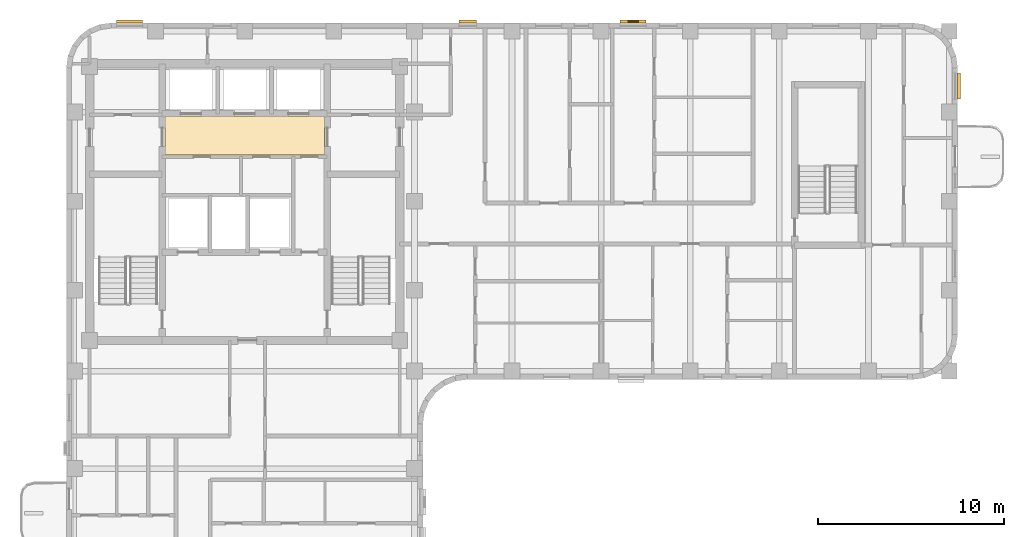
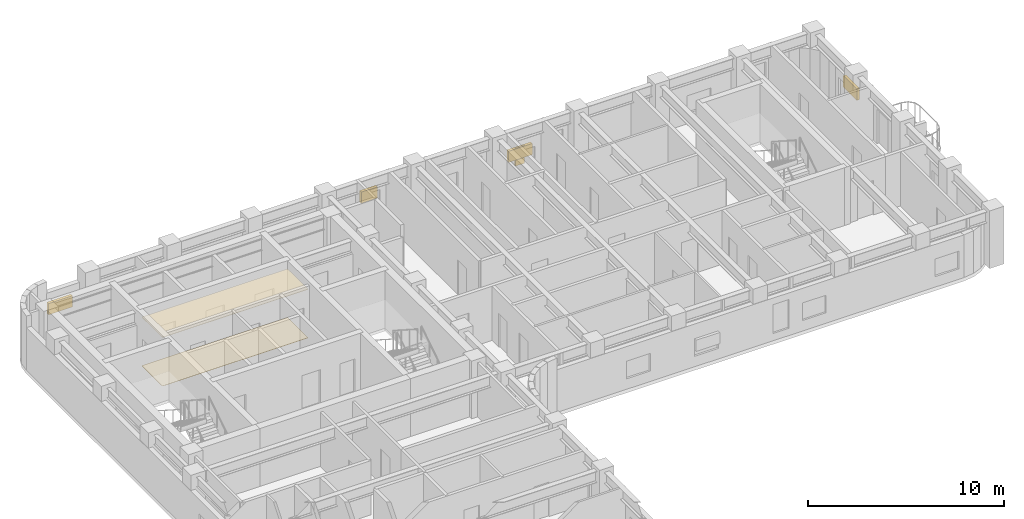
# One storey, part 10 of 10: 5 shading devices, 2 coverings.
"""IFC4 building model written with IfcOpenShell, lengths in metres."""

from ifc_helpers import new_model, si_unit, direction, frame, origin, origin_2d, place, context, subcontext, project, spatial, polyline, rectangle, outline, extrude, material, layer, layer_set, type_object, element, save


model = new_model("IFC4")

# Units and contexts
model_context = context("Model", 3, precision=1e-05, world=origin(), true_north=direction((0.0, 1.0)))
body_context = subcontext(model_context, "Body", "Model", "MODEL_VIEW")
ifc_project = project(units=[si_unit("LENGTHUNIT", "METRE"), si_unit("AREAUNIT", "SQUARE_METRE"), si_unit("VOLUMEUNIT", "CUBIC_METRE"), si_unit("PLANEANGLEUNIT", "RADIAN"), si_unit("MASSUNIT", "GRAM", prefix="KILO")], contexts=[model_context])

# Site, building, storey
site_placement = place(None, origin())
site = spatial("IfcSite", under=ifc_project, at=site_placement, CompositionType="ELEMENT")
building_placement = place(site_placement, origin())
building = spatial("IfcBuilding", under=site, at=building_placement, Name="Orvandelia Arch Residences", CompositionType="ELEMENT")
storey_placement = place(building_placement, frame((0.0, 0.0, 221.800048828125)))
storey = spatial("IfcBuildingStorey", under=building, at=storey_placement, Name="L58", CompositionType="ELEMENT", Elevation=221.800048828125)

# Coverings
ifc_material_1 = material(Name="Perforated Acoustic Mineral-Fibre Ceiling")
ifc_layer_1 = layer(ifc_material_1, 0.02490234375, Name="Perforated Acoustic Mineral-Fibre Ceiling")
ifc_layer_set_1 = layer_set([ifc_layer_1], Name="Perforated Acoustic Mineral-Fibre Ceiling")
covering_type_1 = type_object("IfcCoveringType", Name="COV-CEIL-ACOUSTIC", PredefinedType="CEILING", material=ifc_layer_set_1)
covering_1_placement = place(storey_placement, frame((0.0, 0.0, 3.030029296875)))
element("IfcCovering", 1, at=covering_1_placement, inside=storey, type_object=covering_type_1, Name="Lift Hall Suspended Acoustic Ceiling L58", PredefinedType="CEILING", context=body_context, shape_type="SweptSolid", body=[
    extrude(outline(polyline([(10.10009765625, 40.8798828125), (18.699951171875, 40.8798828125), (18.699951171875, 42.97998046875), (10.10009765625, 42.97998046875), (10.10009765625, 40.8798828125)])), origin(), (0.0, 0.0, 1.0), 0.02490234375),
])
ifc_material_2 = material(Name="Engineered Oak Flooring")
ifc_layer_2 = layer(ifc_material_2, 0.02001953125, Name="Engineered Oak Flooring")
ifc_layer_set_2 = layer_set([ifc_layer_2], Name="Engineered Oak Flooring")
covering_type_2 = type_object("IfcCoveringType", Name="COV-FLOOR-TIMBER", PredefinedType="FLOORING", material=ifc_layer_set_2)
covering_2_placement = place(storey_placement, origin())
element("IfcCovering", 2, at=covering_2_placement, inside=storey, type_object=covering_type_2, Name="Lift Hall Finish Flooring L58", PredefinedType="FLOORING", context=body_context, shape_type="SweptSolid", body=[
    extrude(outline(polyline([(10.10009765625, 40.8798828125), (18.699951171875, 40.8798828125), (18.699951171875, 42.97998046875), (10.10009765625, 42.97998046875), (10.10009765625, 40.8798828125)])), origin(), (0.0, 0.0, 1.0), 0.02001953125),
])

# Shading devices
ifc_material_3 = material(Name="Anodised Champagne-Bronze Extruded Aluminium", Category="aluminium")
shading_device_type_1 = type_object("IfcShadingDeviceType", Name="SHD-JALOUSIE-SCREEN", PredefinedType="JALOUSIE", material=ifc_material_3)
shading_device_1_placement = place(storey_placement, frame((26.4150390625, 48.080078125, 1.5498046875), z_axis=(0.0, 0.0, 1.0), x_axis=(1.0, 0.0, 0.0)))
element("IfcShadingDevice", 3, at=shading_device_1_placement, inside=storey, type_object=shading_device_type_1, Name="Bronze Jalousie Sun-Shade L58-001", PredefinedType="JALOUSIE", context=body_context, shape_type="SweptSolid", body=[
    extrude(rectangle(XDim=0.949951171875, YDim=0.159912109375, at=origin_2d()), origin(), (0.0, 0.0, 1.0), 0.699951171875),
])
for number, where, z_axis, x_axis, name in (
    (4, (8.20751953125, 48.080078125, 1.0498046875), (0.0, 0.0, 1.0), (1.0, 0.0, 0.0), "Bronze Jalousie Sun-Shade L58-002"),
    (5, (35.330078125, 48.080078125, 1.0498046875), (0.0, 0.0, 1.0), (1.0, 0.0, 0.0), "Bronze Jalousie Sun-Shade L58-003"),
    (6, (52.8798828125, 44.592529296875, 1.0498046875), (0.0, 0.0, 1.0), (0.0, -1.0, 0.0), "Bronze Jalousie Sun-Shade L58-004"),
):
    element("IfcShadingDevice", number, at=place(storey_placement, frame(where, z_axis=z_axis, x_axis=x_axis)), inside=storey, type_object=shading_device_type_1, Name=name, PredefinedType="JALOUSIE", context=body_context, shape_type="SweptSolid", body=[
        extrude(rectangle(XDim=1.39990234375, YDim=0.159912109375, at=origin_2d()), origin(), (0.0, 0.0, 1.0), 0.699951171875),
    ])
ifc_material_4 = material(Name="Marine-Grade Perforated Aluminium Storm Shutter", Category="aluminium")
shading_device_type_2 = type_object("IfcShadingDeviceType", Name="SHD-STORM-SHUTTER", PredefinedType="SHUTTER", material=ifc_material_4)
shading_device_2_placement = place(storey_placement, frame((35.330078125, 48.080078125, 0.64990234375), z_axis=(0.0, 0.0, 1.0), x_axis=(1.0, 0.0, 0.0)))
element("IfcShadingDevice", 7, at=shading_device_2_placement, inside=storey, type_object=shading_device_type_2, Name="Operable Typhoon Storm Shutter L58-003", PredefinedType="SHUTTER", context=body_context, shape_type="SweptSolid", body=[
    extrude(rectangle(XDim=0.550048828125, YDim=0.080078125, at=origin_2d()), origin(), (0.0, 0.0, 1.0), 1.10009765625),
])

save(model, "model.ifc")
